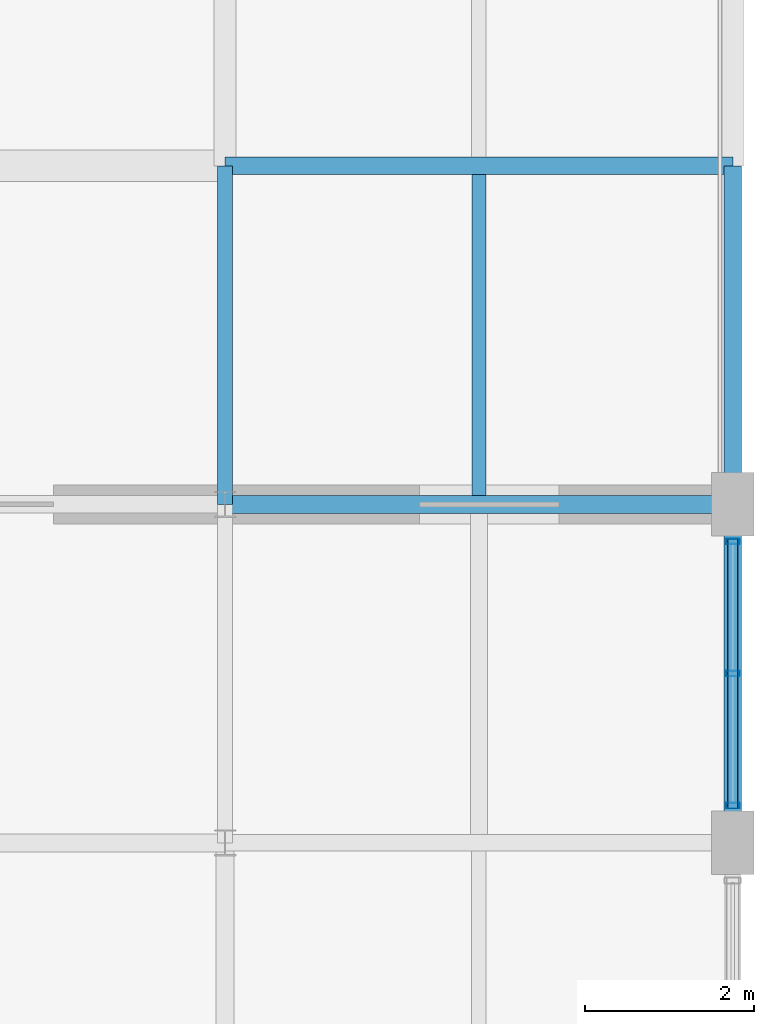
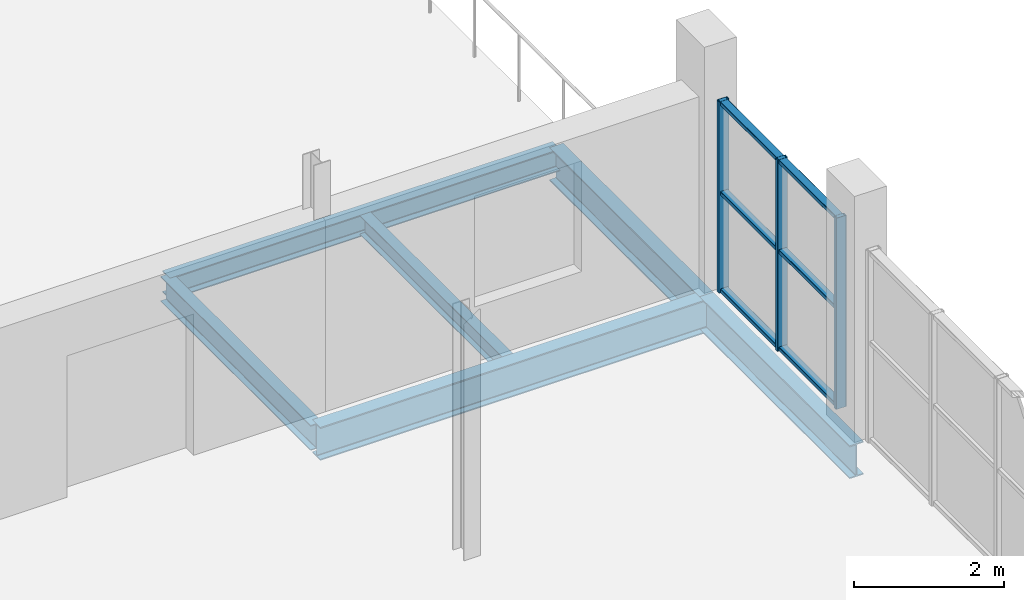
# One storey, part 72 of 96: 6 beams, 6 members, 1 element without a shape of its own.
"""IFC4 building model written with IfcOpenShell, lengths in metres."""

from ifc_helpers import new_model, si_unit, direction, frame, origin, origin_2d, place, context, subcontext, project, spatial, hollow_rectangle, i_section, extrude, material, material_profile, profile_set, type_object, element, aggregate, save


model = new_model("IFC4")

# Units and contexts
model_context = context("Model", 3, precision=1e-05, world=origin(), true_north=direction((0.0, 1.0)))
body_context = subcontext(model_context, "Body", "Model", "MODEL_VIEW")
ifc_project = project(units=[si_unit("LENGTHUNIT", "METRE"), si_unit("AREAUNIT", "SQUARE_METRE"), si_unit("VOLUMEUNIT", "CUBIC_METRE"), si_unit("PLANEANGLEUNIT", "RADIAN"), si_unit("MASSUNIT", "GRAM", prefix="KILO")], contexts=[model_context])

# Site, building, storey
site_placement = place(None, origin())
site = spatial("IfcSite", under=ifc_project, at=site_placement, CompositionType="ELEMENT")
building_placement = place(site_placement, origin())
building = spatial("IfcBuilding", under=site, at=building_placement, Name="Verrall Gate Interchange", CompositionType="ELEMENT")
storey_placement = place(building_placement, frame((0.0, 0.0, 11.39990234375)))
storey = spatial("IfcBuildingStorey", under=building, at=storey_placement, Name="L03", CompositionType="ELEMENT", Elevation=11.39990234375)

# Beams
ifc_material_1 = material(Name="Structural Steel CSA G40.21 350W", Category="steel")
ifc_material_profile_1 = material_profile(ifc_material_1, i_section(OverallWidth=0.2109375, OverallDepth=0.5390625, WebThickness=0.01171875, FlangeThickness=0.018798828125, FilletRadius=0.013916015625, at=origin_2d()), Name="W530x109")
ifc_profile_set_1 = profile_set([ifc_material_profile_1], Name="Structural Steel CSA G40.21 350W")
beam_type_1 = type_object("IfcBeamType", Name="B-10 Structural Beam W530x109", PredefinedType="BEAM", material=ifc_profile_set_1)
beam_1_placement = place(storey_placement, frame((162.0, 44.0, -0.599365234375), z_axis=(1.0, 0.0, 0.0), x_axis=(0.0, 1.0, 0.0)))
element("IfcBeam", 1, at=beam_1_placement, inside=storey, type_object=beam_type_1, Name="L03 Girder BM-L03-2102 (B-10)", PredefinedType="BEAM", context=body_context, shape_type="SweptSolid", body=[
    extrude(i_section(OverallWidth=0.2109375, OverallDepth=0.5390625, WebThickness=0.01171875, FlangeThickness=0.018798828125, FilletRadius=0.013916015625, at=origin_2d()), origin(), (0.0, 0.0, 1.0), 6.0),
])
for number, where, z_axis, x_axis, name in (
    (2, (168.0, 40.0, -0.599365234375), (0.0, 1.0, 0.0), (-1.0, 0.0, 0.0), "L03 Girder BM-L03-2376 (B-10)"),
    (3, (168.0, 44.0, -0.599365234375), (0.0, 1.0, 0.0), (-1.0, 0.0, 0.0), "L03 Girder BM-L03-2377 (B-10)"),
):
    element("IfcBeam", number, at=place(storey_placement, frame(where, z_axis=z_axis, x_axis=x_axis)), inside=storey, type_object=beam_type_1, Name=name, PredefinedType="BEAM", context=body_context, shape_type="SweptSolid", body=[
        extrude(i_section(OverallWidth=0.2109375, OverallDepth=0.5390625, WebThickness=0.01171875, FlangeThickness=0.018798828125, FilletRadius=0.013916015625, at=origin_2d()), origin(), (0.0, 0.0, 1.0), 4.0),
    ])
ifc_material_2 = material(Name="Structural Steel CSA G40.21 350W", Category="steel")
ifc_material_profile_2 = material_profile(ifc_material_2, i_section(OverallWidth=0.178955078125, OverallDepth=0.409912109375, WebThickness=0.0087890625, FlangeThickness=0.014404296875, FilletRadius=0.011962890625, at=origin_2d()), Name="W410x67")
ifc_profile_set_2 = profile_set([ifc_material_profile_2], Name="Structural Steel CSA G40.21 350W")
beam_type_2 = type_object("IfcBeamType", Name="B-12 Structural Beam W410x67", PredefinedType="BEAM", material=ifc_profile_set_2)
beam_2_placement = place(storey_placement, frame((162.0, 44.0, -0.534912109375), z_axis=(0.0, 1.0, 0.0), x_axis=(-1.0, 0.0, 0.0)))
element("IfcBeam", 4, at=beam_2_placement, inside=storey, type_object=beam_type_2, Name="L03 Girder BM-L03-2369 (B-12)", PredefinedType="BEAM", context=body_context, shape_type="SweptSolid", body=[
    extrude(i_section(OverallWidth=0.178955078125, OverallDepth=0.409912109375, WebThickness=0.0087890625, FlangeThickness=0.014404296875, FilletRadius=0.011962890625, at=origin_2d()), origin(), (0.0, 0.0, 1.0), 4.0),
])
ifc_material_3 = material(Name="Structural Steel CSA G40.21 350W", Category="steel")
ifc_material_profile_3 = material_profile(ifc_material_3, i_section(OverallWidth=0.205078125, OverallDepth=0.35400390625, WebThickness=0.009521484375, FlangeThickness=0.016845703125, FilletRadius=0.012939453125, at=origin_2d()), Name="W360x79")
ifc_profile_set_3 = profile_set([ifc_material_profile_3], Name="Structural Steel CSA G40.21 350W")
beam_type_3 = type_object("IfcBeamType", Name="B-14 Structural Beam W360x79", PredefinedType="BEAM", material=ifc_profile_set_3)
beam_3_placement = place(storey_placement, frame((162.0, 48.0, -0.5068359375), z_axis=(1.0, 0.0, 0.0), x_axis=(0.0, 1.0, 0.0)))
element("IfcBeam", 5, at=beam_3_placement, inside=storey, type_object=beam_type_3, Name="L03 Girder BM-L03-2127 (B-14)", PredefinedType="BEAM", context=body_context, shape_type="SweptSolid", body=[
    extrude(i_section(OverallWidth=0.205078125, OverallDepth=0.35400390625, WebThickness=0.009521484375, FlangeThickness=0.016845703125, FilletRadius=0.012939453125, at=origin_2d()), origin(), (0.0, 0.0, 1.0), 6.0),
])

# Curtain wall, members
ifc_material_4 = material(Name="Thermally Broken Anodized Aluminium Curtain Wall Framing", Category="aluminium")
curtain_wall_type = type_object("IfcCurtainWallType", Name="CW-37 Unitized Curtain Wall 3186x3110", PredefinedType="NOTDEFINED", material=ifc_material_4)
curtain_wall_placement = place(storey_placement, origin())
curtain_wall = element("IfcCurtainWall", 6, at=curtain_wall_placement, inside=storey, type_object=curtain_wall_type, Name="L03 Unitized Curtain Wall CW-L03-120", PredefinedType="NOTDEFINED")
ifc_material_5 = material(Name="Thermally Broken Anodized Aluminium Curtain Wall Framing", Category="aluminium")
ifc_material_profile_4 = material_profile(ifc_material_5, hollow_rectangle(XDim=0.06494140625, YDim=0.159912109375, WallThickness=0.00390625, InnerFilletRadius=0.00390625, OuterFilletRadius=0.008056640625, at=origin_2d()), Name="CWM160x65x4")
ifc_profile_set_4 = profile_set([ifc_material_profile_4], Name="Thermally Broken Anodized Aluminium Curtain Wall Framing")
member_type_1 = type_object("IfcMemberType", Name="CM-01 Curtain Mullion CWM160x65x4", PredefinedType="MULLION", material=ifc_profile_set_4)
member_1_placement = place(storey_placement, frame((168.0, 40.439453125, 0.0), z_axis=(0.0, 0.0, 1.0), x_axis=(0.0, 1.0, 0.0)))
member_1 = element("IfcMember", 7, at=member_1_placement, type_object=member_type_1, Name="CW-L03-120 Mullion 1", PredefinedType="MULLION", context=body_context, shape_type="SweptSolid", body=[
    extrude(hollow_rectangle(XDim=0.06494140625, YDim=0.159912109375, WallThickness=0.00390625, InnerFilletRadius=0.00390625, OuterFilletRadius=0.008056640625, at=origin_2d()), origin(), (0.0, 0.0, 1.0), 3.110107421875),
])
member_2_placement = place(storey_placement, frame((168.0, 42.0, 0.0), z_axis=(0.0, 0.0, 1.0), x_axis=(0.0, 1.0, 0.0)))
member_2 = element("IfcMember", 8, at=member_2_placement, type_object=member_type_1, Name="CW-L03-120 Mullion 2", PredefinedType="MULLION", context=body_context, shape_type="SweptSolid", body=[
    extrude(hollow_rectangle(XDim=0.06494140625, YDim=0.159912109375, WallThickness=0.00390625, InnerFilletRadius=0.00390625, OuterFilletRadius=0.008056640625, at=origin_2d()), origin(), (0.0, 0.0, 1.0), 3.110107421875),
])
member_3_placement = place(storey_placement, frame((168.0, 43.560546875, 0.0), z_axis=(0.0, 0.0, 1.0), x_axis=(0.0, 1.0, 0.0)))
member_3 = element("IfcMember", 9, at=member_3_placement, type_object=member_type_1, Name="CW-L03-120 Mullion 3", PredefinedType="MULLION", context=body_context, shape_type="SweptSolid", body=[
    extrude(hollow_rectangle(XDim=0.06494140625, YDim=0.159912109375, WallThickness=0.00390625, InnerFilletRadius=0.00390625, OuterFilletRadius=0.008056640625, at=origin_2d()), origin(), (0.0, 0.0, 1.0), 3.110107421875),
])
ifc_material_6 = material(Name="Thermally Broken Anodized Aluminium Curtain Wall Framing", Category="aluminium")
ifc_material_profile_5 = material_profile(ifc_material_6, hollow_rectangle(XDim=0.1201171875, YDim=0.06494140625, WallThickness=0.00390625, InnerFilletRadius=0.00390625, OuterFilletRadius=0.008056640625, at=origin_2d()), Name="CWT120x65x4")
ifc_profile_set_5 = profile_set([ifc_material_profile_5], Name="Thermally Broken Anodized Aluminium Curtain Wall Framing")
member_type_2 = type_object("IfcMemberType", Name="CT-01 Curtain Transom CWT120x65x4", PredefinedType="USERDEFINED", material=ifc_profile_set_5)
member_4_placement = place(storey_placement, frame((168.0, 40.406982421875, 0.03271484375), z_axis=(0.0, 1.0, 0.0), x_axis=(-1.0, 0.0, 0.0)))
member_4 = element("IfcMember", 10, at=member_4_placement, type_object=member_type_2, Name="CW-L03-120 Transom 1", ObjectType="TRANSOM", PredefinedType="USERDEFINED", context=body_context, shape_type="SweptSolid", body=[
    extrude(hollow_rectangle(XDim=0.1201171875, YDim=0.06494140625, WallThickness=0.00390625, InnerFilletRadius=0.00390625, OuterFilletRadius=0.008056640625, at=origin_2d()), origin(), (0.0, 0.0, 1.0), 3.18603515625),
])
member_5_placement = place(storey_placement, frame((168.0, 40.406982421875, 1.6171875), z_axis=(0.0, 1.0, 0.0), x_axis=(-1.0, 0.0, 0.0)))
member_5 = element("IfcMember", 11, at=member_5_placement, type_object=member_type_2, Name="CW-L03-120 Transom 2", ObjectType="TRANSOM", PredefinedType="USERDEFINED", context=body_context, shape_type="SweptSolid", body=[
    extrude(hollow_rectangle(XDim=0.1201171875, YDim=0.06494140625, WallThickness=0.00390625, InnerFilletRadius=0.00390625, OuterFilletRadius=0.008056640625, at=origin_2d()), origin(), (0.0, 0.0, 1.0), 3.18603515625),
])
member_6_placement = place(storey_placement, frame((168.0, 40.406982421875, 3.07763671875), z_axis=(0.0, 1.0, 0.0), x_axis=(-1.0, 0.0, 0.0)))
member_6 = element("IfcMember", 12, at=member_6_placement, type_object=member_type_2, Name="CW-L03-120 Transom 3", ObjectType="TRANSOM", PredefinedType="USERDEFINED", context=body_context, shape_type="SweptSolid", body=[
    extrude(hollow_rectangle(XDim=0.1201171875, YDim=0.06494140625, WallThickness=0.00390625, InnerFilletRadius=0.00390625, OuterFilletRadius=0.008056640625, at=origin_2d()), origin(), (0.0, 0.0, 1.0), 3.18603515625),
])
aggregate(curtain_wall, [member_1, member_2, member_3, member_4, member_5, member_6])

# Beam
ifc_material_7 = material(Name="Structural Steel CSA G40.21 350W", Category="steel")
ifc_material_profile_6 = material_profile(ifc_material_7, i_section(OverallWidth=0.1650390625, OverallDepth=0.31005859375, WebThickness=0.005859375, FlangeThickness=0.009765625, FilletRadius=0.010009765625, at=origin_2d()), Name="W310x39")
ifc_profile_set_6 = profile_set([ifc_material_profile_6], Name="Structural Steel CSA G40.21 350W")
beam_type_4 = type_object("IfcBeamType", Name="J-04 Floor Joist W310x39", PredefinedType="JOIST", material=ifc_profile_set_6)
beam_4_placement = place(storey_placement, frame((165.0, 44.10546875, -0.48486328125), z_axis=(0.0, 1.0, 0.0), x_axis=(-1.0, 0.0, 0.0)))
element("IfcBeam", 13, at=beam_4_placement, inside=storey, type_object=beam_type_4, Name="L03 Secondary Floor Joist JST-L03-2479", PredefinedType="JOIST", context=body_context, shape_type="SweptSolid", body=[
    extrude(i_section(OverallWidth=0.1650390625, OverallDepth=0.31005859375, WebThickness=0.005859375, FlangeThickness=0.009765625, FilletRadius=0.010009765625, at=origin_2d()), origin(), (0.0, 0.0, 1.0), 3.7919921875),
])

save(model, "model.ifc")
